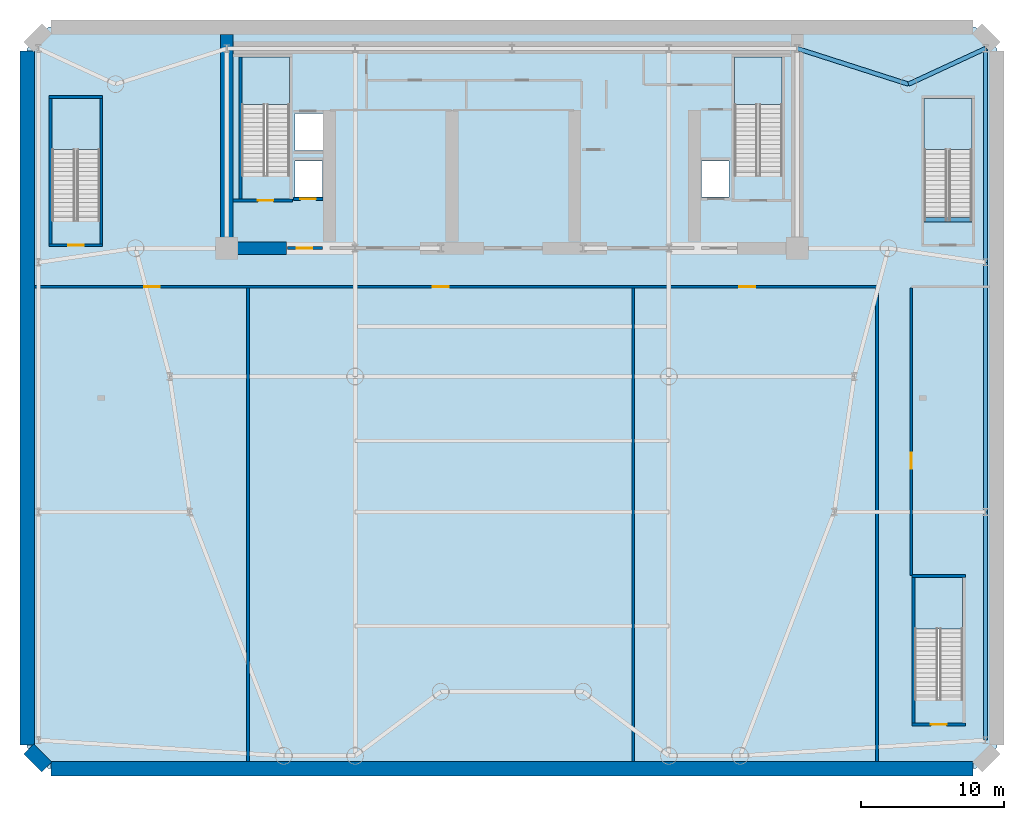
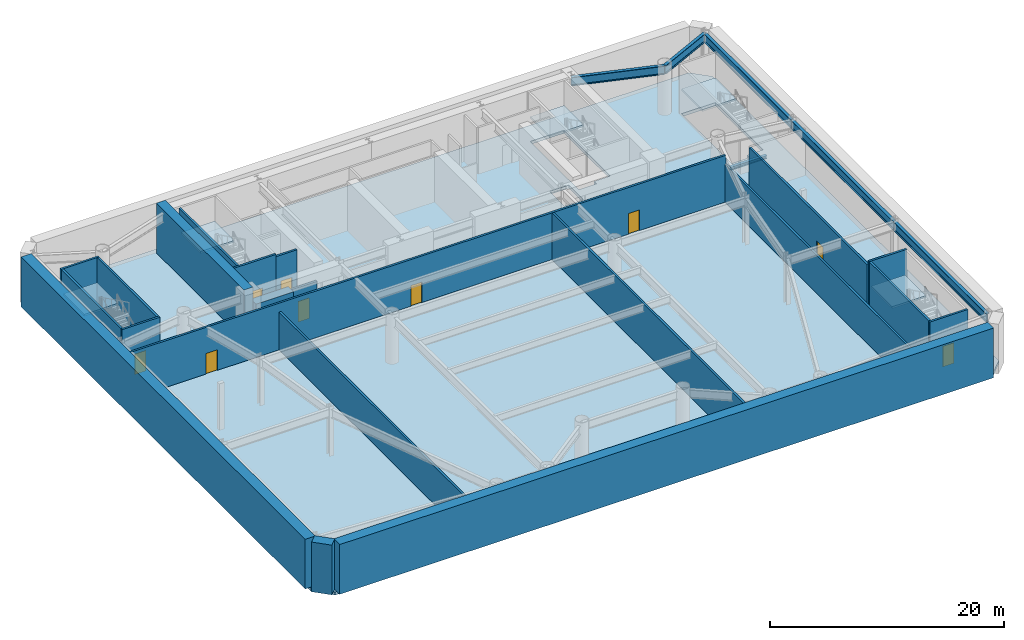
# One storey, part 2 of 9: 21 walls, 9 doors, 6 beams, 6 slabs, 9 openings, 5 elements without a shape of their own.
"""IFC4 building model written with IfcOpenShell, lengths in metres."""

from ifc_helpers import new_model, si_unit, direction, frame, frame_2d, origin, origin_2d, place, context, subcontext, project, spatial, polyline, rectangle, i_section, outline, extrude, source, transform, mapped, material, layer, layer_set, material_profile, profile_set, type_object, element, fill, aggregate, save


model = new_model("IFC4")

# Units and contexts
model_context = context("Model", 3, precision=1e-05, world=origin(), true_north=direction((0.0, 1.0)))
body_context = subcontext(model_context, "Body", "Model", "MODEL_VIEW")
ifc_project = project(units=[si_unit("LENGTHUNIT", "METRE"), si_unit("AREAUNIT", "SQUARE_METRE"), si_unit("VOLUMEUNIT", "CUBIC_METRE"), si_unit("PLANEANGLEUNIT", "RADIAN"), si_unit("MASSUNIT", "GRAM", prefix="KILO")], contexts=[model_context])

# Site, building, storey
site_placement = place(None, origin())
site = spatial("IfcSite", under=ifc_project, at=site_placement, CompositionType="ELEMENT")
building_placement = place(site_placement, origin())
building = spatial("IfcBuilding", under=site, at=building_placement, Name="Vaeldorn Concourse Tower", CompositionType="ELEMENT")
storey_placement = place(building_placement, frame((0.0, 0.0, -5.199951171875)))
storey = spatial("IfcBuildingStorey", under=building, at=storey_placement, Name="B01", CompositionType="ELEMENT", Elevation=-5.199951171875)

# Beams
ifc_material_1 = material(Name="Steel S355", Category="steel")
ifc_material_profile_1 = material_profile(ifc_material_1, i_section(OverallWidth=0.300048828125, OverallDepth=0.340087890625, WebThickness=0.011962890625, FlangeThickness=0.021484375, FilletRadius=0.027099609375, at=origin_2d()), Name="HEB 340")
ifc_profile_set_1 = profile_set([ifc_material_profile_1], Name="Steel S355")
beam_type_1 = type_object("IfcBeamType", Name="BM-ST-TRIM", PredefinedType="BEAM", material=ifc_profile_set_1)
shared_shape_1 = source(origin(), body_context, "Body", "SweptSolid", [
    extrude(i_section(OverallWidth=0.300048828125, OverallDepth=0.340087890625, WebThickness=0.011962890625, FlangeThickness=0.021484375, FilletRadius=0.027099609375, at=origin_2d()), origin(), (0.0, 0.0, 1.0), 3.590087890625),
])
beam_1_placement = place(storey_placement, frame((62.780029296875, 38.489990234375, -0.489990234375), z_axis=(1.0, 0.0, 0.0), x_axis=(0.0, 1.0, 0.0)))
element("IfcBeam", 1, at=beam_1_placement, inside=storey, type_object=beam_type_1, Name="Stair Landing Trimmer Beam ST-4 B01", PredefinedType="BEAM", context=body_context, shape_type="MappedRepresentation", body=[
    mapped(shared_shape_1, transform((0.0, 0.0, 0.0), scale=1.0)),
])
ifc_material_profile_2 = material_profile(ifc_material_1, i_section(OverallWidth=0.302001953125, OverallDepth=0.909912109375, WebThickness=0.02099609375, FlangeThickness=0.0400390625, FilletRadius=0.030029296875, at=origin_2d()), Name="HEM 900")
ifc_profile_set_2 = profile_set([ifc_material_profile_2], Name="Steel S355")
beam_type_2 = type_object("IfcBeamType", Name="BM-PG-HEM900", PredefinedType="BEAM", material=ifc_profile_set_2)
shared_shape_2 = source(origin(), body_context, "Body", "SweptSolid", [
    extrude(i_section(OverallWidth=0.302001953125, OverallDepth=0.909912109375, WebThickness=0.02099609375, FlangeThickness=0.0400390625, FilletRadius=0.030029296875, at=origin_2d()), origin(), (0.0, 0.0, 1.0), 16.0),
])
beam_2_placement = place(storey_placement, frame((67.199951171875, 2.0, 4.425048828125), z_axis=(0.0, 1.0, 0.0), x_axis=(-1.0, 0.0, 0.0)))
element("IfcBeam", 2, at=beam_2_placement, inside=storey, type_object=beam_type_2, Name="Beam BM-B01-C-PE1-C-PE2", PredefinedType="BEAM", context=body_context, shape_type="MappedRepresentation", body=[
    mapped(shared_shape_2, transform((0.0, 0.0, 0.0), scale=1.0)),
])
shared_shape_3 = source(origin(), body_context, "Body", "SweptSolid", [
    extrude(i_section(OverallWidth=0.302001953125, OverallDepth=0.909912109375, WebThickness=0.02099609375, FlangeThickness=0.0400390625, FilletRadius=0.030029296875, at=origin_2d()), origin(), (0.0, 0.0, 1.0), 17.5),
])
beam_3_placement = place(storey_placement, frame((67.199951171875, 18.0, 4.425048828125), z_axis=(0.0, 1.0, 0.0), x_axis=(-1.0, 0.0, 0.0)))
element("IfcBeam", 3, at=beam_3_placement, inside=storey, type_object=beam_type_2, Name="Beam BM-B01-C-PE2-C-PE3", PredefinedType="BEAM", context=body_context, shape_type="MappedRepresentation", body=[
    mapped(shared_shape_3, transform((0.0, 0.0, 0.0), scale=1.0)),
])
shared_shape_4 = source(origin(), body_context, "Body", "SweptSolid", [
    extrude(i_section(OverallWidth=0.302001953125, OverallDepth=0.909912109375, WebThickness=0.02099609375, FlangeThickness=0.0400390625, FilletRadius=0.030029296875, at=origin_2d()), origin(), (0.0, 0.0, 1.0), 15.0),
])
beam_4_placement = place(storey_placement, frame((67.199951171875, 35.5, 4.425048828125), z_axis=(0.0, 1.0, 0.0), x_axis=(-1.0, 0.0, 0.0)))
element("IfcBeam", 4, at=beam_4_placement, inside=storey, type_object=beam_type_2, Name="Beam BM-B01-C-PE3-C-PE4", PredefinedType="BEAM", context=body_context, shape_type="MappedRepresentation", body=[
    mapped(shared_shape_4, transform((0.0, 0.0, 0.0), scale=1.0)),
])
shared_shape_5 = source(origin(), body_context, "Body", "SweptSolid", [
    extrude(i_section(OverallWidth=0.302001953125, OverallDepth=0.909912109375, WebThickness=0.02099609375, FlangeThickness=0.0400390625, FilletRadius=0.030029296875, at=origin_2d()), origin(), (0.0, 0.0, 1.0), 5.950439453125),
])
beam_5_placement = place(storey_placement, frame((61.800048828125, 48.0, 4.425048828125), z_axis=(0.907464010437, 0.420129824888, 0.0), x_axis=(-0.420129824888, 0.907464010437, 0.0)))
element("IfcBeam", 5, at=beam_5_placement, inside=storey, type_object=beam_type_2, Name="Beam BM-B01-C-NE1-C-PE4", PredefinedType="BEAM", context=body_context, shape_type="MappedRepresentation", body=[
    mapped(shared_shape_5, transform((0.0, 0.0, 0.0), scale=1.0)),
])
shared_shape_6 = source(origin(), body_context, "Body", "SweptSolid", [
    extrude(i_section(OverallWidth=0.302001953125, OverallDepth=0.909912109375, WebThickness=0.02099609375, FlangeThickness=0.0400390625, FilletRadius=0.030029296875, at=origin_2d()), origin(), (0.0, 0.0, 1.0), 8.19091796875),
])
beam_6_placement = place(storey_placement, frame((54.0, 50.5, 4.425048828125), z_axis=(0.952282843383, -0.305216949396, 0.0), x_axis=(0.305216949396, 0.952282843383, 0.0)))
element("IfcBeam", 6, at=beam_6_placement, inside=storey, type_object=beam_type_2, Name="Beam BM-B01-C-HC5-C-NE1", PredefinedType="BEAM", context=body_context, shape_type="MappedRepresentation", body=[
    mapped(shared_shape_6, transform((0.0, 0.0, 0.0), scale=1.0)),
])

# Stair, slab
ifc_material_2 = material(Name="Precast concrete C40/50", Category="concrete")
stair_type = type_object("IfcStairType", Name="STR-DOG-34x153", PredefinedType="HALF_TURN_STAIR", material=ifc_material_2)
stair_1_placement = place(storey_placement, origin())
stair_1 = element("IfcStair", 7, at=stair_1_placement, inside=storey, type_object=stair_type, Name="B01 West Core Exit Stair ST-1", PredefinedType="HALF_TURN_STAIR")
ifc_material_3 = material(Name="Concrete C40/50", Category="concrete")
ifc_layer_1 = layer(ifc_material_3, 0.199951171875)
ifc_layer_set_1 = layer_set([ifc_layer_1], Name="Concrete C40/50")
slab_type_1 = type_object("IfcSlabType", Name="SL-STAIR-LANDING", PredefinedType="LANDING", material=ifc_layer_set_1)
slab_1_placement = place(storey_placement, frame((0.0, 0.0, 2.39990234375)))
slab_1 = element("IfcSlab", 8, at=slab_1_placement, type_object=slab_type_1, Name="ST-1 landing 1", PredefinedType="LANDING", context=body_context, shape_type="SweptSolid", body=[
    extrude(outline(polyline([(18.39990234375, 46.56005859375), (18.39990234375, 49.89990234375), (15.050048828125, 49.89990234375), (15.050048828125, 46.56005859375), (18.39990234375, 46.56005859375)])), origin(), (0.0, 0.0, 1.0), 0.199951171875),
])
aggregate(stair_1, [slab_1])

stair_2_placement = place(storey_placement, origin())
stair_2 = element("IfcStair", 9, at=stair_2_placement, inside=storey, type_object=stair_type, Name="B01 East Core Exit Stair ST-2", PredefinedType="HALF_TURN_STAIR")
slab_2_placement = place(storey_placement, frame((0.0, 0.0, 2.39990234375)))
slab_2 = element("IfcSlab", 10, at=slab_2_placement, type_object=slab_type_1, Name="ST-2 landing 1", PredefinedType="LANDING", context=body_context, shape_type="SweptSolid", body=[
    extrude(outline(polyline([(52.949951171875, 46.56005859375), (52.949951171875, 49.89990234375), (49.60009765625, 49.89990234375), (49.60009765625, 46.56005859375), (52.949951171875, 46.56005859375)])), origin(), (0.0, 0.0, 1.0), 0.199951171875),
])
aggregate(stair_2, [slab_2])

stair_3_placement = place(storey_placement, origin())
stair_3 = element("IfcStair", 11, at=stair_3_placement, inside=storey, type_object=stair_type, Name="B01 Station West Exit Stair ST-3", PredefinedType="HALF_TURN_STAIR")
slab_3_placement = place(storey_placement, frame((0.0, 0.0, 2.39990234375)))
slab_3 = element("IfcSlab", 12, at=slab_3_placement, type_object=slab_type_1, Name="ST-3 landing 1", PredefinedType="LANDING", context=body_context, shape_type="SweptSolid", body=[
    extrude(outline(polyline([(5.10009765625, 43.409912109375), (5.10009765625, 47.0), (1.75, 47.0), (1.75, 43.409912109375), (5.10009765625, 43.409912109375)])), origin(), (0.0, 0.0, 1.0), 0.199951171875),
])
aggregate(stair_3, [slab_3])

stair_4_placement = place(storey_placement, origin())
stair_4 = element("IfcStair", 13, at=stair_4_placement, inside=storey, type_object=stair_type, Name="B01 Station East Exit Stair ST-4", PredefinedType="HALF_TURN_STAIR")
slab_4_placement = place(storey_placement, frame((0.0, 0.0, 2.39990234375)))
slab_4 = element("IfcSlab", 14, at=slab_4_placement, type_object=slab_type_1, Name="ST-4 landing 1", PredefinedType="LANDING", context=body_context, shape_type="SweptSolid", body=[
    extrude(outline(polyline([(66.25, 43.409912109375), (66.25, 47.0), (62.89990234375, 47.0), (62.89990234375, 43.409912109375), (66.25, 43.409912109375)])), origin(), (0.0, 0.0, 1.0), 0.199951171875),
])
aggregate(stair_4, [slab_4])

stair_5_placement = place(storey_placement, origin())
stair_5 = element("IfcStair", 15, at=stair_5_placement, inside=storey, type_object=stair_type, Name="B01 Podium Auditorium Exit Stair ST-5", PredefinedType="HALF_TURN_STAIR")
slab_5_placement = place(storey_placement, frame((0.0, 0.0, 2.39990234375)))
slab_5 = element("IfcSlab", 16, at=slab_5_placement, type_object=slab_type_1, Name="ST-5 landing 1", PredefinedType="LANDING", context=body_context, shape_type="SweptSolid", body=[
    extrude(outline(polyline([(65.60009765625, 9.81005859375), (65.60009765625, 13.39990234375), (62.25, 13.39990234375), (62.25, 9.81005859375), (65.60009765625, 9.81005859375)])), origin(), (0.0, 0.0, 1.0), 0.199951171875),
])
aggregate(stair_5, [slab_5])

# Slab
ifc_layer_2 = layer(ifc_material_3, 0.320068359375)
ifc_layer_set_2 = layer_set([ifc_layer_2], Name="Concrete C40/50")
slab_type_2 = type_object("IfcSlabType", Name="SL-SUB-320", PredefinedType="FLOOR", material=ifc_layer_set_2)
slab_6_placement = place(storey_placement, frame((0.0, 0.0, -0.320068359375)))
element("IfcSlab", 17, at=slab_6_placement, inside=storey, type_object=slab_type_2, Name="Structural Floor Slab B01", PredefinedType="FLOOR", context=body_context, shape_type="SweptSolid", body=[
    extrude(outline(polyline([(1.5, 0.0), (66.5, 0.0), (68.0, 1.5), (68.0, 50.5), (66.5, 52.0), (1.5, 52.0), (0.0, 50.5), (0.0, 1.5), (1.5, 0.0)]), holes=[polyline([(18.39990234375, 42.0), (18.39990234375, 49.89990234375), (15.050048828125, 49.89990234375), (15.050048828125, 41.60009765625), (16.800048828125, 41.60009765625), (16.800048828125, 42.0), (18.39990234375, 42.0)]), polyline([(52.949951171875, 42.0), (52.949951171875, 49.89990234375), (49.60009765625, 49.89990234375), (49.60009765625, 41.60009765625), (51.35009765625, 41.60009765625), (51.35009765625, 42.0), (52.949951171875, 42.0)]), polyline([(5.10009765625, 38.85009765625), (5.10009765625, 47.0), (1.75, 47.0), (1.75, 38.449951171875), (3.5, 38.449951171875), (3.5, 38.85009765625), (5.10009765625, 38.85009765625)]), polyline([(66.25, 38.85009765625), (66.25, 47.0), (62.89990234375, 47.0), (62.89990234375, 38.449951171875), (64.64990234375, 38.449951171875), (64.64990234375, 38.85009765625), (66.25, 38.85009765625)]), polyline([(65.60009765625, 5.25), (65.60009765625, 13.39990234375), (62.25, 13.39990234375), (62.25, 4.85009765625), (64.0, 4.85009765625), (64.0, 5.25), (65.60009765625, 5.25)]), polyline([(18.800048828125, 43.35009765625), (20.800048828125, 43.35009765625), (20.800048828125, 45.949951171875), (18.800048828125, 45.949951171875), (18.800048828125, 43.35009765625)]), polyline([(18.800048828125, 40.10009765625), (20.699951171875, 40.10009765625), (20.699951171875, 42.60009765625), (18.800048828125, 42.60009765625), (18.800048828125, 40.10009765625)]), polyline([(47.300048828125, 40.10009765625), (49.199951171875, 40.10009765625), (49.199951171875, 42.60009765625), (47.300048828125, 42.60009765625), (47.300048828125, 40.10009765625)])]), origin(), (0.0, 0.0, 1.0), 0.320068359375),
])

# Walls
ifc_material_4 = material(Name="Concrete C60/75", Category="concrete")
ifc_layer_3 = layer(ifc_material_4, 0.89990234375)
ifc_layer_set_3 = layer_set([ifc_layer_3], Name="Concrete C60/75")
wall_type_1 = type_object("IfcWallType", Name="WL-CORE-900", PredefinedType="SHEAR", material=ifc_layer_set_3)
wall_1_placement = place(storey_placement, frame((14.0, 36.5, 0.0), z_axis=(0.0, 0.0, 1.0), x_axis=(0.0, 1.0, 0.0)))
element("IfcWall", 18, at=wall_1_placement, inside=storey, type_object=wall_type_1, Name="Rear Core Shear Wall B01 W1", PredefinedType="SHEAR", context=body_context, shape_type="SweptSolid", body=[
    extrude(rectangle(XDim=15.0, YDim=0.89990234375, at=frame_2d((7.5, 0.0))), origin(), (0.0, 0.0, 1.0), 5.199951171875),
])
wall_2_placement = place(storey_placement, frame((14.469970703125, 36.5, 0.0), z_axis=(0.0, 0.0, 1.0), x_axis=(1.0, 0.0, 0.0)))
element("IfcWall", 19, at=wall_2_placement, inside=storey, type_object=wall_type_1, Name="Rear Core Shear Wall B01 S1", PredefinedType="SHEAR", context=body_context, shape_type="SweptSolid", body=[
    extrude(rectangle(XDim=3.72998046875, YDim=0.89990234375, at=frame_2d((1.864990234375, 0.0))), origin(), (0.0, 0.0, 1.0), 3.679931640625),
])
ifc_material_5 = material(Name="Concrete C50/60", Category="concrete")
ifc_layer_4 = layer(ifc_material_5, 1.0)
ifc_layer_set_4 = layer_set([ifc_layer_4], Name="Concrete C50/60")
wall_type_2 = type_object("IfcWallType", Name="WL-DIAPH-1000", PredefinedType="STANDARD", material=ifc_layer_set_4)
wall_3_placement = place(storey_placement, frame((1.659912109375, 0.0, 0.0), z_axis=(0.0, 0.0, 1.0), x_axis=(1.0, 0.0, 0.0)))
element("IfcWall", 20, at=wall_3_placement, inside=storey, type_object=wall_type_2, Name="Substructure Diaphragm Wall B01-01", PredefinedType="STANDARD", context=body_context, shape_type="SweptSolid", body=[
    extrude(rectangle(XDim=64.68017578125, YDim=1.0, at=frame_2d((32.340087890625, 0.0))), origin(), (0.0, 0.0, 1.0), 5.199951171875),
])
wall_4_placement = place(storey_placement, frame((0.0, 50.340087890625, 0.0), z_axis=(0.0, 0.0, 1.0), x_axis=(0.0, -1.0, 0.0)))
element("IfcWall", 21, at=wall_4_placement, inside=storey, type_object=wall_type_2, Name="Substructure Diaphragm Wall B01-07", PredefinedType="STANDARD", context=body_context, shape_type="SweptSolid", body=[
    extrude(rectangle(XDim=48.68017578125, YDim=1.0, at=frame_2d((24.340087890625, 0.0))), origin(), (0.0, 0.0, 1.0), 5.199951171875),
])
wall_5_placement = place(storey_placement, frame((0.113037109375, 1.386962890625, 0.0), z_axis=(0.0, 0.0, 1.0), x_axis=(0.707106781187, -0.707106781187, 0.0)))
element("IfcWall", 22, at=wall_5_placement, inside=storey, type_object=wall_type_2, Name="Substructure Diaphragm Wall B01-08", PredefinedType="STANDARD", context=body_context, shape_type="SweptSolid", body=[
    extrude(rectangle(XDim=1.801513671875, YDim=1.0, at=frame_2d((0.90087890625, 0.0))), origin(), (0.0, 0.0, 1.0), 5.199951171875),
])

# Wall, opening, door
ifc_layer_5 = layer(ifc_material_5, 0.199951171875)
ifc_layer_set_5 = layer_set([ifc_layer_5], Name="Concrete C50/60")
wall_type_3 = type_object("IfcWallType", Name="WL-SHAFT-200", PredefinedType="SOLIDWALL", material=ifc_layer_set_5)
wall_6_placement = place(storey_placement, frame((14.449951171875, 39.85009765625, 0.0), z_axis=(0.0, 0.0, 1.0), x_axis=(1.0, 0.0, 0.0)))
wall_6 = element("IfcWall", 23, at=wall_6_placement, inside=storey, type_object=wall_type_3, Name="Stair Shaft Wall CW-B01-ST-1-S", PredefinedType="SOLIDWALL", context=body_context, shape_type="SweptSolid", body=[
    extrude(rectangle(XDim=4.150146484375, YDim=0.199951171875, at=frame_2d((2.0751953125, 0.0))), origin(), (0.0, 0.0, 1.0), 5.199951171875),
])
opening_1_placement = place(wall_6_placement, frame((1.72509765625, 0.0, 0.0)))
opening_1 = element("IfcOpeningElement", 24, at=opening_1_placement, cuts=wall_6, Name="Opening D-01", PredefinedType="OPENING", context=body_context, shape_type="SweptSolid", body=[
    extrude(rectangle(XDim=1.10009765625, YDim=2.14990234375, at=frame_2d((0.550048828125, 1.074951171875))), frame((0.0, 0.10986328125, 0.0), z_axis=(0.0, -1.0, 0.0), x_axis=(1.0, 0.0, 0.0)), (0.0, 0.0, 1.0), 0.219970703125),
])
ifc_material_6 = material(Name="Fire-Rated Timber and Steel Leaf", Category="steel")
door_type_1 = type_object("IfcDoorType", Name="DR-FD60-1100", OperationType="NOTDEFINED", PredefinedType="DOOR", material=ifc_material_6)
shared_shape_7 = source(origin(), body_context, "Body", "SweptSolid", [
    extrude(rectangle(XDim=1.10009765625, YDim=2.14990234375, at=frame_2d((0.550048828125, 1.074951171875))), frame((0.0, 0.02490234375, 0.0), z_axis=(0.0, -1.0, 0.0), x_axis=(1.0, 0.0, 0.0)), (0.0, 0.0, 1.0), 0.050048828125),
])
door_1_placement = place(opening_1_placement, origin())
door_1 = element("IfcDoor", 25, at=door_1_placement, inside=storey, type_object=door_type_1, Name="Interior Door DR-B01-ST-1", OperationType="SINGLE_SWING_LEFT", OverallHeight=2.14990234375, OverallWidth=1.10009765625, PredefinedType="DOOR", context=body_context, shape_type="MappedRepresentation", body=[
    mapped(shared_shape_7, transform((0.0, 0.0, 0.0), scale=1.0)),
])
fill(opening_1, door_1)

# Wall
wall_7_placement = place(storey_placement, frame((14.949951171875, 39.9599609375, 0.0), z_axis=(0.0, 0.0, 1.0), x_axis=(0.0, 1.0, 0.0)))
element("IfcWall", 26, at=wall_7_placement, inside=storey, type_object=wall_type_3, Name="Stair Shaft Wall CW-B01-ST-1-W", PredefinedType="SOLIDWALL", context=body_context, shape_type="SweptSolid", body=[
    extrude(rectangle(XDim=9.929931640625, YDim=0.199951171875, at=frame_2d((4.96484375, 0.0))), origin(), (0.0, 0.0, 1.0), 5.199951171875),
])

# Wall, opening, door
wall_8_placement = place(storey_placement, frame((18.25, 36.5, 0.0), z_axis=(0.0, 0.0, 1.0), x_axis=(1.0, 0.0, 0.0)))
wall_8 = element("IfcWall", 27, at=wall_8_placement, inside=storey, type_object=wall_type_3, Name="Interior Wall CW-B01-FF1S", PredefinedType="SOLIDWALL", context=body_context, shape_type="SweptSolid", body=[
    extrude(rectangle(XDim=2.469970703125, YDim=0.199951171875, at=frame_2d((1.23486328125, 0.0))), origin(), (0.0, 0.0, 1.0), 3.669921875),
])
opening_2_placement = place(wall_8_placement, frame((0.64990234375, 0.0, 0.0)))
opening_2 = element("IfcOpeningElement", 28, at=opening_2_placement, cuts=wall_8, Name="Opening D-01", PredefinedType="OPENING", context=body_context, shape_type="SweptSolid", body=[
    extrude(rectangle(XDim=1.10009765625, YDim=2.14990234375, at=frame_2d((0.550048828125, 1.074951171875))), frame((0.0, 0.10986328125, 0.0), z_axis=(0.0, -1.0, 0.0), x_axis=(1.0, 0.0, 0.0)), (0.0, 0.0, 1.0), 0.219970703125),
])
door_2_placement = place(opening_2_placement, origin())
door_2 = element("IfcDoor", 29, at=door_2_placement, inside=storey, type_object=door_type_1, Name="Interior Door DR-B01-FF1E", OperationType="SINGLE_SWING_RIGHT", OverallHeight=2.14990234375, OverallWidth=1.10009765625, PredefinedType="DOOR", context=body_context, shape_type="MappedRepresentation", body=[
    mapped(shared_shape_7, transform((0.0, 0.0, 0.0), scale=1.0)),
])
fill(opening_2, door_2)

wall_9_placement = place(storey_placement, frame((18.669921875, 39.949951171875, 0.0), z_axis=(0.0, 0.0, 1.0), x_axis=(1.0, 0.0, 0.0)))
wall_9 = element("IfcWall", 30, at=wall_9_placement, inside=storey, type_object=wall_type_3, Name="Interior Wall CW-B01-LF-LF-FF1", PredefinedType="SOLIDWALL", context=body_context, shape_type="SweptSolid", body=[
    extrude(rectangle(XDim=2.070068359375, YDim=0.199951171875, at=frame_2d((1.03515625, 0.0))), origin(), (0.0, 0.0, 1.0), 4.8798828125),
])
opening_3_placement = place(wall_9_placement, frame((0.485107421875, 0.0, 0.0)))
opening_3 = element("IfcOpeningElement", 31, at=opening_3_placement, cuts=wall_9, Name="Opening LD-1", PredefinedType="OPENING", context=body_context, shape_type="SweptSolid", body=[
    extrude(rectangle(XDim=1.10009765625, YDim=2.14990234375, at=frame_2d((0.550048828125, 1.074951171875))), frame((0.0, 0.10986328125, 0.0), z_axis=(0.0, -1.0, 0.0), x_axis=(1.0, 0.0, 0.0)), (0.0, 0.0, 1.0), 0.219970703125),
])
ifc_material_7 = material(Name="Anodised Bronze Aluminium", Category="aluminium")
door_type_2 = type_object("IfcDoorType", Name="DR-LIFT-SLIDE-1100", OperationType="DOUBLE_DOOR_SLIDING", PredefinedType="DOOR", material=ifc_material_7)
door_3_placement = place(opening_3_placement, origin())
door_3 = element("IfcDoor", 32, at=door_3_placement, inside=storey, type_object=door_type_2, Name="Lift Landing Door LD-B01-LF-FF1", OperationType="DOUBLE_DOOR_SLIDING", OverallHeight=2.14990234375, OverallWidth=1.10009765625, PredefinedType="DOOR", context=body_context, shape_type="MappedRepresentation", body=[
    mapped(shared_shape_7, transform((0.0, 0.0, 0.0), scale=1.0)),
])
fill(opening_3, door_3)

wall_10_placement = place(storey_placement, frame((1.550048828125, 36.699951171875, 0.0), z_axis=(0.0, 0.0, 1.0), x_axis=(1.0, 0.0, 0.0)))
wall_10 = element("IfcWall", 33, at=wall_10_placement, inside=storey, type_object=wall_type_3, Name="Stair Shaft Wall CW-B01-ST-3-S", PredefinedType="SOLIDWALL", context=body_context, shape_type="SweptSolid", body=[
    extrude(rectangle(XDim=3.75, YDim=0.199951171875, at=frame_2d((1.875, 0.0))), origin(), (0.0, 0.0, 1.0), 5.199951171875),
])
opening_4_placement = place(wall_10_placement, frame((1.324951171875, 0.0, 0.0)))
opening_4 = element("IfcOpeningElement", 34, at=opening_4_placement, cuts=wall_10, Name="Opening D-01", PredefinedType="OPENING", context=body_context, shape_type="SweptSolid", body=[
    extrude(rectangle(XDim=1.10009765625, YDim=2.14990234375, at=frame_2d((0.550048828125, 1.074951171875))), frame((0.0, 0.10986328125, 0.0), z_axis=(0.0, -1.0, 0.0), x_axis=(1.0, 0.0, 0.0)), (0.0, 0.0, 1.0), 0.219970703125),
])
door_4_placement = place(opening_4_placement, origin())
door_4 = element("IfcDoor", 35, at=door_4_placement, inside=storey, type_object=door_type_1, Name="Interior Door DR-B01-ST-3", OperationType="SINGLE_SWING_LEFT", OverallHeight=2.14990234375, OverallWidth=1.10009765625, PredefinedType="DOOR", context=body_context, shape_type="MappedRepresentation", body=[
    mapped(shared_shape_7, transform((0.0, 0.0, 0.0), scale=1.0)),
])
fill(opening_4, door_4)

# Walls
wall_11_placement = place(storey_placement, frame((1.550048828125, 47.10009765625, 0.0), z_axis=(0.0, 0.0, 1.0), x_axis=(1.0, 0.0, 0.0)))
element("IfcWall", 36, at=wall_11_placement, inside=storey, type_object=wall_type_3, Name="Stair Shaft Wall CW-B01-ST-3-N", PredefinedType="SOLIDWALL", context=body_context, shape_type="SweptSolid", body=[
    extrude(rectangle(XDim=3.75, YDim=0.199951171875, at=frame_2d((1.875, 0.0))), origin(), (0.0, 0.0, 1.0), 5.199951171875),
])
for number, where, z_axis, x_axis, name in (
    (37, (1.64990234375, 36.81005859375, 0.0), (0.0, 0.0, 1.0), (0.0, 1.0, 0.0), "Stair Shaft Wall CW-B01-ST-3-W"),
    (38, (5.199951171875, 36.81005859375, 0.0), (0.0, 0.0, 1.0), (0.0, 1.0, 0.0), "Stair Shaft Wall CW-B01-ST-3-E"),
):
    element("IfcWall", number, at=place(storey_placement, frame(where, z_axis=z_axis, x_axis=x_axis)), inside=storey, type_object=wall_type_3, Name=name, PredefinedType="SOLIDWALL", context=body_context, shape_type="SweptSolid", body=[
        extrude(rectangle(XDim=10.179931640625, YDim=0.199951171875, at=frame_2d((5.08984375, 0.0))), origin(), (0.0, 0.0, 1.0), 5.199951171875),
    ])

# Wall, opening, door
wall_12_placement = place(storey_placement, frame((62.050048828125, 3.10009765625, 0.0), z_axis=(0.0, 0.0, 1.0), x_axis=(1.0, 0.0, 0.0)))
wall_12 = element("IfcWall", 39, at=wall_12_placement, inside=storey, type_object=wall_type_3, Name="Stair Shaft Wall CW-B01-ST-5-S", PredefinedType="SOLIDWALL", context=body_context, shape_type="SweptSolid", body=[
    extrude(rectangle(XDim=3.75, YDim=0.199951171875, at=frame_2d((1.875, 0.0))), origin(), (0.0, 0.0, 1.0), 5.199951171875),
])
opening_5_placement = place(wall_12_placement, frame((1.324951171875, 0.0, 0.0)))
opening_5 = element("IfcOpeningElement", 40, at=opening_5_placement, cuts=wall_12, Name="Opening D-01", PredefinedType="OPENING", context=body_context, shape_type="SweptSolid", body=[
    extrude(rectangle(XDim=1.10009765625, YDim=2.14990234375, at=frame_2d((0.550048828125, 1.074951171875))), frame((0.0, 0.10986328125, 0.0), z_axis=(0.0, -1.0, 0.0), x_axis=(1.0, 0.0, 0.0)), (0.0, 0.0, 1.0), 0.219970703125),
])
door_5_placement = place(opening_5_placement, origin())
door_5 = element("IfcDoor", 41, at=door_5_placement, inside=storey, type_object=door_type_1, Name="Interior Door DR-B01-ST-5", OperationType="SINGLE_SWING_RIGHT", OverallHeight=2.14990234375, OverallWidth=1.10009765625, PredefinedType="DOOR", context=body_context, shape_type="MappedRepresentation", body=[
    mapped(shared_shape_7, transform((0.0, 0.0, 0.0), scale=1.0)),
])
fill(opening_5, door_5)

# Walls
wall_13_placement = place(storey_placement, frame((62.050048828125, 13.5, 0.0), z_axis=(0.0, 0.0, 1.0), x_axis=(1.0, 0.0, 0.0)))
element("IfcWall", 42, at=wall_13_placement, inside=storey, type_object=wall_type_3, Name="Stair Shaft Wall CW-B01-ST-5-N", PredefinedType="SOLIDWALL", context=body_context, shape_type="SweptSolid", body=[
    extrude(rectangle(XDim=3.75, YDim=0.199951171875, at=frame_2d((1.875, 0.0))), origin(), (0.0, 0.0, 1.0), 5.199951171875),
])
wall_14_placement = place(storey_placement, frame((62.14990234375, 3.2099609375, 0.0), z_axis=(0.0, 0.0, 1.0), x_axis=(0.0, 1.0, 0.0)))
element("IfcWall", 43, at=wall_14_placement, inside=storey, type_object=wall_type_3, Name="Stair Shaft Wall CW-B01-ST-5-W", PredefinedType="SOLIDWALL", context=body_context, shape_type="SweptSolid", body=[
    extrude(rectangle(XDim=10.179931640625, YDim=0.199951171875, at=frame_2d((5.08984375, 0.0))), origin(), (0.0, 0.0, 1.0), 5.199951171875),
])

# Wall, openings, doors
wall_15_placement = place(storey_placement, frame((0.52001953125, 33.800048828125, 0.0), z_axis=(0.0, 0.0, 1.0), x_axis=(1.0, 0.0, 0.0)))
wall_15 = element("IfcWall", 44, at=wall_15_placement, inside=storey, type_object=wall_type_3, Name="Interior Wall PW-B01-COR", PredefinedType="SOLIDWALL", context=body_context, shape_type="SweptSolid", body=[
    extrude(rectangle(XDim=59.080078125, YDim=0.199951171875, at=frame_2d((29.5400390625, 0.0))), origin(), (0.0, 0.0, 1.0), 4.8798828125),
])
opening_6_placement = place(wall_15_placement, frame((7.679931640625, 0.0, 0.0)))
opening_6 = element("IfcOpeningElement", 45, at=opening_6_placement, cuts=wall_15, Name="Opening D-01", PredefinedType="OPENING", context=body_context, shape_type="SweptSolid", body=[
    extrude(rectangle(XDim=1.10009765625, YDim=2.14990234375, at=frame_2d((0.550048828125, 1.074951171875))), frame((0.0, 0.10986328125, 0.0), z_axis=(0.0, -1.0, 0.0), x_axis=(1.0, 0.0, 0.0)), (0.0, 0.0, 1.0), 0.219970703125),
])
opening_7_placement = place(wall_15_placement, frame((27.929931640625, 0.0, 0.0)))
opening_7 = element("IfcOpeningElement", 46, at=opening_7_placement, cuts=wall_15, Name="Opening D-01", PredefinedType="OPENING", context=body_context, shape_type="SweptSolid", body=[
    extrude(rectangle(XDim=1.10009765625, YDim=2.14990234375, at=frame_2d((0.550048828125, 1.074951171875))), frame((0.0, 0.10986328125, 0.0), z_axis=(0.0, -1.0, 0.0), x_axis=(1.0, 0.0, 0.0)), (0.0, 0.0, 1.0), 0.219970703125),
])
opening_8_placement = place(wall_15_placement, frame((49.429931640625, 0.0, 0.0)))
opening_8 = element("IfcOpeningElement", 47, at=opening_8_placement, cuts=wall_15, Name="Opening D-01", PredefinedType="OPENING", context=body_context, shape_type="SweptSolid", body=[
    extrude(rectangle(XDim=1.10009765625, YDim=2.14990234375, at=frame_2d((0.550048828125, 1.074951171875))), frame((0.0, 0.10986328125, 0.0), z_axis=(0.0, -1.0, 0.0), x_axis=(1.0, 0.0, 0.0)), (0.0, 0.0, 1.0), 0.219970703125),
])
door_6_placement = place(opening_6_placement, origin())
door_6 = element("IfcDoor", 48, at=door_6_placement, inside=storey, type_object=door_type_1, Name="Interior Door DR-B01-BM1", OperationType="SINGLE_SWING_LEFT", OverallHeight=2.14990234375, OverallWidth=1.10009765625, PredefinedType="DOOR", context=body_context, shape_type="MappedRepresentation", body=[
    mapped(shared_shape_7, transform((0.0, 0.0, 0.0), scale=1.0)),
])
fill(opening_6, door_6)
door_7_placement = place(opening_7_placement, origin())
door_7 = element("IfcDoor", 49, at=door_7_placement, inside=storey, type_object=door_type_1, Name="Interior Door DR-B01-BM2", OperationType="SINGLE_SWING_RIGHT", OverallHeight=2.14990234375, OverallWidth=1.10009765625, PredefinedType="DOOR", context=body_context, shape_type="MappedRepresentation", body=[
    mapped(shared_shape_7, transform((0.0, 0.0, 0.0), scale=1.0)),
])
fill(opening_7, door_7)
door_8_placement = place(opening_8_placement, origin())
door_8 = element("IfcDoor", 50, at=door_8_placement, inside=storey, type_object=door_type_1, Name="Interior Door DR-B01-BM3", OperationType="SINGLE_SWING_LEFT", OverallHeight=2.14990234375, OverallWidth=1.10009765625, PredefinedType="DOOR", context=body_context, shape_type="MappedRepresentation", body=[
    mapped(shared_shape_7, transform((0.0, 0.0, 0.0), scale=1.0)),
])
fill(opening_8, door_8)

# Wall
wall_16_placement = place(storey_placement, frame((59.60009765625, 0.52001953125, 0.0), z_axis=(0.0, 0.0, 1.0), x_axis=(0.0, 1.0, 0.0)))
element("IfcWall", 51, at=wall_16_placement, inside=storey, type_object=wall_type_3, Name="Interior Wall PW-B01-BSPW", PredefinedType="SOLIDWALL", context=body_context, shape_type="SweptSolid", body=[
    extrude(rectangle(XDim=33.179931640625, YDim=0.199951171875, at=frame_2d((16.58984375, 0.0))), origin(), (0.0, 0.0, 1.0), 3.9599609375),
])

# Wall, opening, door
wall_17_placement = place(storey_placement, frame((62.0, 13.550048828125, 0.0), z_axis=(0.0, 0.0, 1.0), x_axis=(0.0, 1.0, 0.0)))
wall_17 = element("IfcWall", 52, at=wall_17_placement, inside=storey, type_object=wall_type_3, Name="Interior Wall PW-B01-BSPE", PredefinedType="SOLIDWALL", context=body_context, shape_type="SweptSolid", body=[
    extrude(rectangle(XDim=20.14990234375, YDim=0.199951171875, at=frame_2d((10.074951171875, 0.0))), origin(), (0.0, 0.0, 1.0), 4.8798828125),
])
opening_9_placement = place(wall_17_placement, frame((7.5, 0.0, 0.0)))
opening_9 = element("IfcOpeningElement", 53, at=opening_9_placement, cuts=wall_17, Name="Opening D-01", PredefinedType="OPENING", context=body_context, shape_type="SweptSolid", body=[
    extrude(rectangle(XDim=1.10009765625, YDim=2.14990234375, at=frame_2d((0.550048828125, 1.074951171875))), frame((0.0, 0.10986328125, 0.0), z_axis=(0.0, -1.0, 0.0), x_axis=(1.0, 0.0, 0.0)), (0.0, 0.0, 1.0), 0.219970703125),
])
door_9_placement = place(opening_9_placement, origin())
door_9 = element("IfcDoor", 54, at=door_9_placement, inside=storey, type_object=door_type_1, Name="Interior Door DR-B01-BME", OperationType="SINGLE_SWING_RIGHT", OverallHeight=2.14990234375, OverallWidth=1.10009765625, PredefinedType="DOOR", context=body_context, shape_type="MappedRepresentation", body=[
    mapped(shared_shape_7, transform((0.0, 0.0, 0.0), scale=1.0)),
])
fill(opening_9, door_9)

# Walls
wall_18_placement = place(storey_placement, frame((15.5, 0.52001953125, 0.0), z_axis=(0.0, 0.0, 1.0), x_axis=(0.0, 1.0, 0.0)))
element("IfcWall", 55, at=wall_18_placement, inside=storey, type_object=wall_type_3, Name="Interior Wall PW-B01-B1", PredefinedType="SOLIDWALL", context=body_context, shape_type="SweptSolid", body=[
    extrude(rectangle(XDim=33.179931640625, YDim=0.199951171875, at=frame_2d((16.58984375, 0.0))), origin(), (0.0, 0.0, 1.0), 3.9599609375),
])
wall_19_placement = place(storey_placement, frame((42.5, 0.52001953125, 0.0), z_axis=(0.0, 0.0, 1.0), x_axis=(0.0, 1.0, 0.0)))
element("IfcWall", 56, at=wall_19_placement, inside=storey, type_object=wall_type_3, Name="Interior Wall PW-B01-B2", PredefinedType="SOLIDWALL", context=body_context, shape_type="SweptSolid", body=[
    extrude(rectangle(XDim=33.179931640625, YDim=0.199951171875, at=frame_2d((16.58984375, 0.0))), origin(), (0.0, 0.0, 1.0), 4.8798828125),
])

save(model, "model.ifc")
